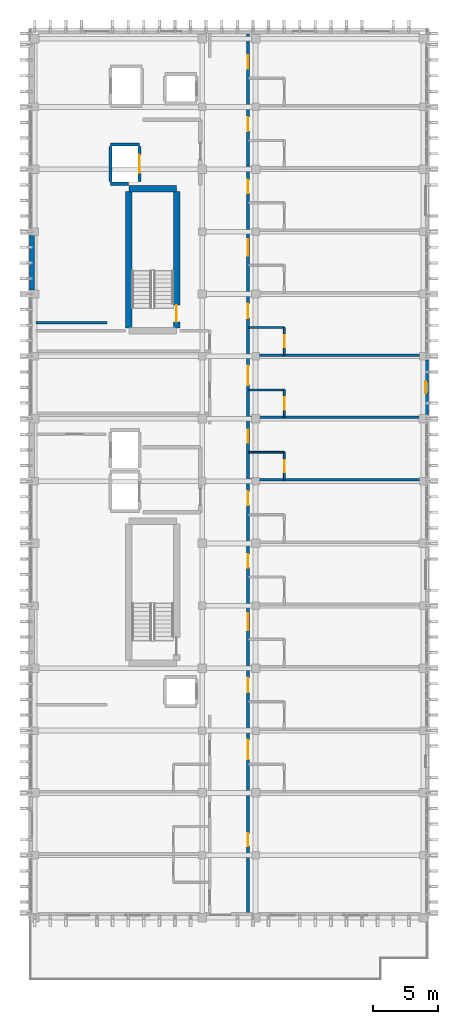
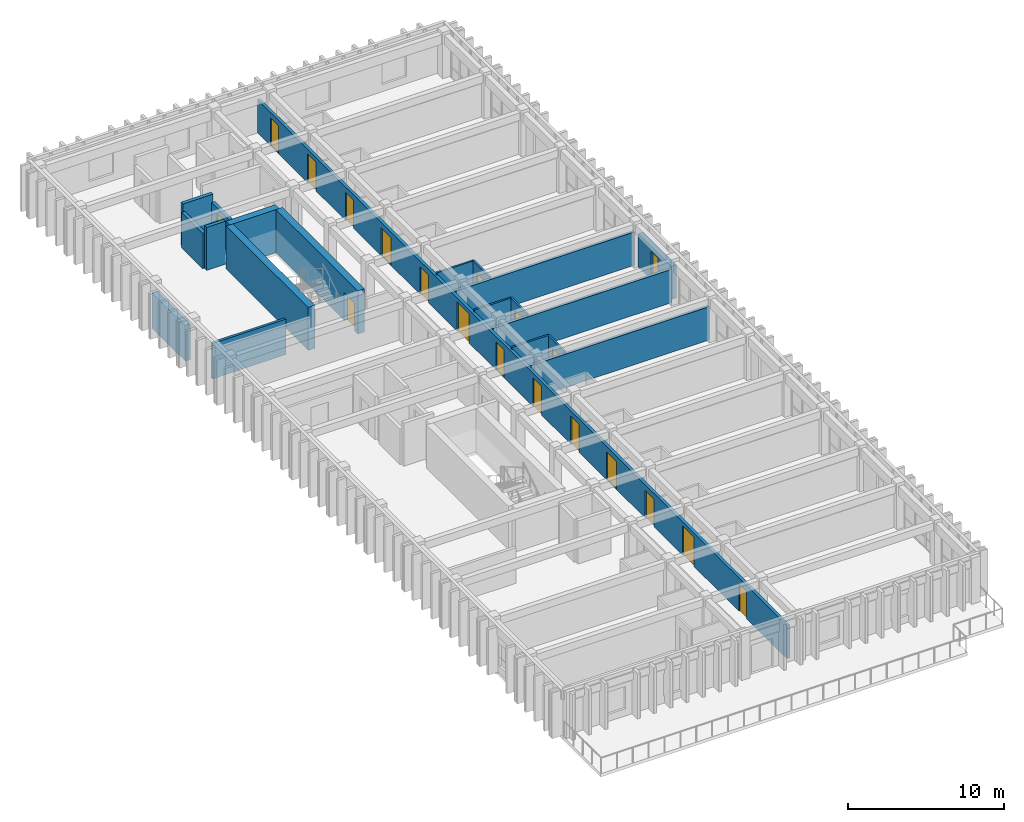
# One storey, part 42 of 49: 20 walls, 18 doors, 1 window, 19 openings.
"""IFC4 building model written with IfcOpenShell, lengths in metres."""

from ifc_helpers import new_model, si_unit, direction, frame, frame_2d, origin, place, context, subcontext, project, spatial, rectangle, extrude, material, layer, layer_set, type_object, element, fill, save


model = new_model("IFC4")

# Units and contexts
model_context = context("Model", 3, precision=1e-05, world=origin(), true_north=direction((0.0, 1.0)))
body_context = subcontext(model_context, "Body", "Model", "MODEL_VIEW")
ifc_project = project(units=[si_unit("LENGTHUNIT", "METRE"), si_unit("AREAUNIT", "SQUARE_METRE"), si_unit("VOLUMEUNIT", "CUBIC_METRE"), si_unit("PLANEANGLEUNIT", "RADIAN"), si_unit("MASSUNIT", "GRAM", prefix="KILO")], contexts=[model_context])

# Site, building, storey
site_placement = place(None, origin())
site = spatial("IfcSite", under=ifc_project, at=site_placement, CompositionType="ELEMENT")
building_placement = place(site_placement, origin())
building = spatial("IfcBuilding", under=site, at=building_placement, Name="Nakhvara Creek Congress Hotel", CompositionType="ELEMENT")
storey_placement = place(building_placement, frame((0.0, 0.0, 39.0)))
storey = spatial("IfcBuildingStorey", under=building, at=storey_placement, Name="L09", CompositionType="ELEMENT", Elevation=39.0)

# Walls
ifc_material_1 = material(Name="Concrete C50/60", Category="concrete")
ifc_layer_1 = layer(ifc_material_1, 0.5)
ifc_layer_set_1 = layer_set([ifc_layer_1], Name="Concrete C50/60")
wall_type_1 = type_object("IfcWallType", Name="W-CORE-500", PredefinedType="SHEAR", material=ifc_layer_set_1)
wall_1_placement = place(storey_placement, frame((156.699951171875, 113.719970703125, 0.0), z_axis=(0.0, 0.0, 1.0), x_axis=(1.0, 0.0, 0.0)))
element("IfcWall", 1, at=wall_1_placement, inside=storey, type_object=wall_type_1, Name="Core Shear Wall WS01-CWALL-L09-0467", PredefinedType="SHEAR", context=body_context, shape_type="SweptSolid", body=[
    extrude(rectangle(XDim=3.670166015625, YDim=0.5, at=frame_2d((1.8349609375, 0.0))), origin(), (0.0, 0.0, 1.0), 3.360107421875),
])
wall_2_placement = place(storey_placement, frame((156.699951171875, 103.0, 0.0), z_axis=(0.0, 0.0, 1.0), x_axis=(0.0, 1.0, 0.0)))
element("IfcWall", 2, at=wall_2_placement, inside=storey, type_object=wall_type_1, Name="Core Shear Wall WS01-CWALL-L09-0468", PredefinedType="SHEAR", context=body_context, shape_type="SweptSolid", body=[
    extrude(rectangle(XDim=10.5, YDim=0.5, at=frame_2d((5.25, 0.0))), origin(), (0.0, 0.0, 1.0), 3.360107421875),
])

# Wall, opening, door
wall_3_placement = place(storey_placement, frame((160.3701171875, 103.0, 0.0), z_axis=(0.0, 0.0, 1.0), x_axis=(0.0, 1.0, 0.0)))
wall_3 = element("IfcWall", 3, at=wall_3_placement, inside=storey, type_object=wall_type_1, Name="Core Shear Wall WS01-CWALL-L09-0469", PredefinedType="SHEAR", context=body_context, shape_type="SweptSolid", body=[
    extrude(rectangle(XDim=10.5, YDim=0.5, at=frame_2d((5.25, 0.0))), origin(), (0.0, 0.0, 1.0), 3.360107421875),
])
opening_1_placement = place(wall_3_placement, frame((0.449951171875, 0.0, 0.0)))
opening_1 = element("IfcOpeningElement", 4, at=opening_1_placement, cuts=wall_3, Name="Opening FD04", PredefinedType="OPENING", context=body_context, shape_type="SweptSolid", body=[
    extrude(rectangle(XDim=1.300048828125, YDim=2.14990234375, at=frame_2d((0.64990234375, 1.074951171875))), frame((0.0, 0.261962890625, 0.0), z_axis=(0.0, -1.0, 0.0), x_axis=(1.0, 0.0, 0.0)), (0.0, 0.0, 1.0), 0.52392578125),
])
ifc_material_2 = material(Name="Powder-coated steel fire door", Category="steel")
door_type_1 = type_object("IfcDoorType", Name="DT-STAIR-130", OperationType="NOTDEFINED", PredefinedType="DOOR", material=ifc_material_2)
door_1_placement = place(opening_1_placement, frame((1.300048828125, 0.0, 0.0), z_axis=(0.0, 0.0, 1.0), x_axis=(-1.0, 0.0, 0.0)))
door_1 = element("IfcDoor", 5, at=door_1_placement, inside=storey, type_object=door_type_1, Name="Stair Exit Door ST02-L09", OperationType="SINGLE_SWING_LEFT", OverallHeight=2.14990234375, OverallWidth=1.300048828125, PredefinedType="DOOR", context=body_context, shape_type="SweptSolid", body=[
    extrude(rectangle(XDim=1.300048828125, YDim=2.14990234375, at=frame_2d((0.64990234375, 1.074951171875))), frame((0.0, 0.02490234375, 0.0), z_axis=(0.0, -1.0, 0.0), x_axis=(1.0, 0.0, 0.0)), (0.0, 0.0, 1.0), 0.050048828125),
])
fill(opening_1, door_1)

# Wall, openings, doors
ifc_material_3 = material(Name="Gypsum acoustic board on steel stud", Category="steel")
ifc_layer_2 = layer(ifc_material_3, 0.219970703125)
ifc_layer_set_2 = layer_set([ifc_layer_2], Name="Gypsum acoustic board on steel stud")
wall_type_2 = type_object("IfcWallType", Name="W-CORR-220", PredefinedType="PARTITIONING", material=ifc_layer_set_2)
wall_4_placement = place(storey_placement, frame((165.8798828125, 57.949951171875, 0.0), z_axis=(0.0, 0.0, 1.0), x_axis=(0.0, 1.0, 0.0)))
wall_4 = element("IfcWall", 6, at=wall_4_placement, inside=storey, type_object=wall_type_2, Name="Interior Wall WP11-IW-L09-0649", PredefinedType="PARTITIONING", context=body_context, shape_type="SweptSolid", body=[
    extrude(rectangle(XDim=67.699951171875, YDim=0.219970703125, at=frame_2d((33.85009765625, 0.0))), origin(), (0.0, 0.0, 1.0), 2.60205078125),
])
opening_2_placement = place(wall_4_placement, frame((5.14990234375, 0.0, 0.0)))
opening_2 = element("IfcOpeningElement", 7, at=opening_2_placement, cuts=wall_4, Name="Opening MD03", PredefinedType="OPENING", context=body_context, shape_type="SweptSolid", body=[
    extrude(rectangle(XDim=0.97998046875, YDim=2.14990234375, at=frame_2d((0.489990234375, 1.074951171875))), frame((0.0, 0.1220703125, 0.0), z_axis=(0.0, -1.0, 0.0), x_axis=(1.0, 0.0, 0.0)), (0.0, 0.0, 1.0), 0.243896484375),
])
opening_3_placement = place(wall_4_placement, frame((11.837890625, 0.0, 0.0)))
opening_3 = element("IfcOpeningElement", 8, at=opening_3_placement, cuts=wall_4, Name="Opening GD03", PredefinedType="OPENING", context=body_context, shape_type="SweptSolid", body=[
    extrude(rectangle(XDim=1.5, YDim=2.300048828125, at=frame_2d((0.75, 1.14990234375))), frame((0.0, 0.1220703125, 0.0), z_axis=(0.0, -1.0, 0.0), x_axis=(1.0, 0.0, 0.0)), (0.0, 0.0, 1.0), 0.243896484375),
])
opening_4_placement = place(wall_4_placement, frame((16.988037109375, 0.0, 0.0)))
opening_4 = element("IfcOpeningElement", 9, at=opening_4_placement, cuts=wall_4, Name="Opening BD01", PredefinedType="OPENING", context=body_context, shape_type="SweptSolid", body=[
    extrude(rectangle(XDim=1.1201171875, YDim=2.14990234375, at=frame_2d((0.56005859375, 1.074951171875))), frame((0.0, 0.1220703125, 0.0), z_axis=(0.0, -1.0, 0.0), x_axis=(1.0, 0.0, 0.0)), (0.0, 0.0, 1.0), 0.243896484375),
])
opening_5_placement = place(wall_4_placement, frame((21.7880859375, 0.0, 0.0)))
opening_5 = element("IfcOpeningElement", 10, at=opening_5_placement, cuts=wall_4, Name="Opening ID07", PredefinedType="OPENING", context=body_context, shape_type="SweptSolid", body=[
    extrude(rectangle(XDim=1.280029296875, YDim=2.159912109375, at=frame_2d((0.64013671875, 1.080078125))), frame((0.0, 0.1220703125, 0.0), z_axis=(0.0, -1.0, 0.0), x_axis=(1.0, 0.0, 0.0)), (0.0, 0.0, 1.0), 0.243896484375),
])
opening_6_placement = place(wall_4_placement, frame((26.587890625, 0.0, 0.0)))
opening_6 = element("IfcOpeningElement", 11, at=opening_6_placement, cuts=wall_4, Name="Opening ID04", PredefinedType="OPENING", context=body_context, shape_type="SweptSolid", body=[
    extrude(rectangle(XDim=1.050048828125, YDim=2.179931640625, at=frame_2d((0.52490234375, 1.08984375))), frame((0.0, 0.1220703125, 0.0), z_axis=(0.0, -1.0, 0.0), x_axis=(1.0, 0.0, 0.0)), (0.0, 0.0, 1.0), 0.243896484375),
])
opening_7_placement = place(wall_4_placement, frame((31.387939453125, 0.0, 0.0)))
opening_7 = element("IfcOpeningElement", 12, at=opening_7_placement, cuts=wall_4, Name="Opening GD02", PredefinedType="OPENING", context=body_context, shape_type="SweptSolid", body=[
    extrude(rectangle(XDim=1.080078125, YDim=2.25, at=frame_2d((0.5400390625, 1.125))), frame((0.0, 0.1220703125, 0.0), z_axis=(0.0, -1.0, 0.0), x_axis=(1.0, 0.0, 0.0)), (0.0, 0.0, 1.0), 0.243896484375),
])
opening_8_placement = place(wall_4_placement, frame((36.18798828125, 0.0, 0.0)))
opening_8 = element("IfcOpeningElement", 13, at=opening_8_placement, cuts=wall_4, Name="Opening GD01", PredefinedType="OPENING", context=body_context, shape_type="SweptSolid", body=[
    extrude(rectangle(XDim=1.02001953125, YDim=2.199951171875, at=frame_2d((0.510009765625, 1.10009765625))), frame((0.0, 0.1220703125, 0.0), z_axis=(0.0, -1.0, 0.0), x_axis=(1.0, 0.0, 0.0)), (0.0, 0.0, 1.0), 0.243896484375),
])
opening_9_placement = place(wall_4_placement, frame((40.637939453125, 0.0, 0.0)))
opening_9 = element("IfcOpeningElement", 14, at=opening_9_placement, cuts=wall_4, Name="Opening GD03", PredefinedType="OPENING", context=body_context, shape_type="SweptSolid", body=[
    extrude(rectangle(XDim=1.5, YDim=2.300048828125, at=frame_2d((0.75, 1.14990234375))), frame((0.0, 0.1220703125, 0.0), z_axis=(0.0, -1.0, 0.0), x_axis=(1.0, 0.0, 0.0)), (0.0, 0.0, 1.0), 0.243896484375),
])
opening_10_placement = place(wall_4_placement, frame((45.7880859375, 0.0, 0.0)))
opening_10 = element("IfcOpeningElement", 15, at=opening_10_placement, cuts=wall_4, Name="Opening BD01", PredefinedType="OPENING", context=body_context, shape_type="SweptSolid", body=[
    extrude(rectangle(XDim=1.1201171875, YDim=2.14990234375, at=frame_2d((0.56005859375, 1.074951171875))), frame((0.0, 0.1220703125, 0.0), z_axis=(0.0, -1.0, 0.0), x_axis=(1.0, 0.0, 0.0)), (0.0, 0.0, 1.0), 0.243896484375),
])
opening_11_placement = place(wall_4_placement, frame((50.587890625, 0.0, 0.0)))
opening_11 = element("IfcOpeningElement", 16, at=opening_11_placement, cuts=wall_4, Name="Opening ID07", PredefinedType="OPENING", context=body_context, shape_type="SweptSolid", body=[
    extrude(rectangle(XDim=1.280029296875, YDim=2.159912109375, at=frame_2d((0.64013671875, 1.080078125))), frame((0.0, 0.1220703125, 0.0), z_axis=(0.0, -1.0, 0.0), x_axis=(1.0, 0.0, 0.0)), (0.0, 0.0, 1.0), 0.243896484375),
])
opening_12_placement = place(wall_4_placement, frame((55.387939453125, 0.0, 0.0)))
opening_12 = element("IfcOpeningElement", 17, at=opening_12_placement, cuts=wall_4, Name="Opening ID04", PredefinedType="OPENING", context=body_context, shape_type="SweptSolid", body=[
    extrude(rectangle(XDim=1.050048828125, YDim=2.179931640625, at=frame_2d((0.52490234375, 1.08984375))), frame((0.0, 0.1220703125, 0.0), z_axis=(0.0, -1.0, 0.0), x_axis=(1.0, 0.0, 0.0)), (0.0, 0.0, 1.0), 0.243896484375),
])
opening_13_placement = place(wall_4_placement, frame((60.18798828125, 0.0, 0.0)))
opening_13 = element("IfcOpeningElement", 18, at=opening_13_placement, cuts=wall_4, Name="Opening GD02", PredefinedType="OPENING", context=body_context, shape_type="SweptSolid", body=[
    extrude(rectangle(XDim=1.080078125, YDim=2.25, at=frame_2d((0.5400390625, 1.125))), frame((0.0, 0.1220703125, 0.0), z_axis=(0.0, -1.0, 0.0), x_axis=(1.0, 0.0, 0.0)), (0.0, 0.0, 1.0), 0.243896484375),
])
opening_14_placement = place(wall_4_placement, frame((64.988037109375, 0.0, 0.0)))
opening_14 = element("IfcOpeningElement", 19, at=opening_14_placement, cuts=wall_4, Name="Opening GD01", PredefinedType="OPENING", context=body_context, shape_type="SweptSolid", body=[
    extrude(rectangle(XDim=1.02001953125, YDim=2.199951171875, at=frame_2d((0.510009765625, 1.10009765625))), frame((0.0, 0.1220703125, 0.0), z_axis=(0.0, -1.0, 0.0), x_axis=(1.0, 0.0, 0.0)), (0.0, 0.0, 1.0), 0.243896484375),
])
ifc_material_4 = material(Name="Brushed stainless-clad BOH door")
door_type_2 = type_object("IfcDoorType", Name="DT-BOH-128", OperationType="NOTDEFINED", PredefinedType="DOOR", material=ifc_material_4)
door_2_placement = place(opening_5_placement, origin())
door_2 = element("IfcDoor", 20, at=door_2_placement, inside=storey, type_object=door_type_2, Name="Interior Door ID07-0490", OperationType="SINGLE_SWING_LEFT", OverallHeight=2.159912109375, OverallWidth=1.280029296875, PredefinedType="DOOR", context=body_context, shape_type="SweptSolid", body=[
    extrude(rectangle(XDim=1.280029296875, YDim=2.159912109375, at=frame_2d((0.64013671875, 1.080078125))), frame((0.0, 0.02490234375, 0.0), z_axis=(0.0, -1.0, 0.0), x_axis=(1.0, 0.0, 0.0)), (0.0, 0.0, 1.0), 0.050048828125),
])
fill(opening_5, door_2)
door_3_placement = place(opening_11_placement, origin())
door_3 = element("IfcDoor", 21, at=door_3_placement, inside=storey, type_object=door_type_2, Name="Interior Door ID07-0502", OperationType="SINGLE_SWING_LEFT", OverallHeight=2.159912109375, OverallWidth=1.280029296875, PredefinedType="DOOR", context=body_context, shape_type="SweptSolid", body=[
    extrude(rectangle(XDim=1.280029296875, YDim=2.159912109375, at=frame_2d((0.64013671875, 1.080078125))), frame((0.0, 0.02490234375, 0.0), z_axis=(0.0, -1.0, 0.0), x_axis=(1.0, 0.0, 0.0)), (0.0, 0.0, 1.0), 0.050048828125),
])
fill(opening_11, door_3)
ifc_material_5 = material(Name="Walnut hardwood timber fire door", Category="wood")
door_type_3 = type_object("IfcDoorType", Name="DT-GUEST-102", OperationType="NOTDEFINED", PredefinedType="DOOR", material=ifc_material_5)
door_4_placement = place(opening_8_placement, origin())
door_4 = element("IfcDoor", 22, at=door_4_placement, inside=storey, type_object=door_type_3, Name="Interior Door GD01-0496", OperationType="SINGLE_SWING_LEFT", OverallHeight=2.199951171875, OverallWidth=1.02001953125, PredefinedType="DOOR", context=body_context, shape_type="SweptSolid", body=[
    extrude(rectangle(XDim=1.02001953125, YDim=2.199951171875, at=frame_2d((0.510009765625, 1.10009765625))), frame((0.0, 0.02490234375, 0.0), z_axis=(0.0, -1.0, 0.0), x_axis=(1.0, 0.0, 0.0)), (0.0, 0.0, 1.0), 0.050048828125),
])
fill(opening_8, door_4)
door_5_placement = place(opening_14_placement, origin())
door_5 = element("IfcDoor", 23, at=door_5_placement, inside=storey, type_object=door_type_3, Name="Interior Door GD01-0508", OperationType="SINGLE_SWING_LEFT", OverallHeight=2.199951171875, OverallWidth=1.02001953125, PredefinedType="DOOR", context=body_context, shape_type="SweptSolid", body=[
    extrude(rectangle(XDim=1.02001953125, YDim=2.199951171875, at=frame_2d((0.510009765625, 1.10009765625))), frame((0.0, 0.02490234375, 0.0), z_axis=(0.0, -1.0, 0.0), x_axis=(1.0, 0.0, 0.0)), (0.0, 0.0, 1.0), 0.050048828125),
])
fill(opening_14, door_5)
door_type_4 = type_object("IfcDoorType", Name="DT-GUEST-108", OperationType="NOTDEFINED", PredefinedType="DOOR", material=ifc_material_5)
door_6_placement = place(opening_7_placement, origin())
door_6 = element("IfcDoor", 24, at=door_6_placement, inside=storey, type_object=door_type_4, Name="Interior Door GD02-0494", OperationType="SINGLE_SWING_LEFT", OverallHeight=2.25, OverallWidth=1.080078125, PredefinedType="DOOR", context=body_context, shape_type="SweptSolid", body=[
    extrude(rectangle(XDim=1.080078125, YDim=2.25, at=frame_2d((0.5400390625, 1.125))), frame((0.0, 0.02490234375, 0.0), z_axis=(0.0, -1.0, 0.0), x_axis=(1.0, 0.0, 0.0)), (0.0, 0.0, 1.0), 0.050048828125),
])
fill(opening_7, door_6)
door_7_placement = place(opening_13_placement, origin())
door_7 = element("IfcDoor", 25, at=door_7_placement, inside=storey, type_object=door_type_4, Name="Interior Door GD02-0506", OperationType="SINGLE_SWING_LEFT", OverallHeight=2.25, OverallWidth=1.080078125, PredefinedType="DOOR", context=body_context, shape_type="SweptSolid", body=[
    extrude(rectangle(XDim=1.080078125, YDim=2.25, at=frame_2d((0.5400390625, 1.125))), frame((0.0, 0.02490234375, 0.0), z_axis=(0.0, -1.0, 0.0), x_axis=(1.0, 0.0, 0.0)), (0.0, 0.0, 1.0), 0.050048828125),
])
fill(opening_13, door_7)
ifc_material_6 = material(Name="Hardwood-faced service fire door", Category="wood")
door_type_5 = type_object("IfcDoorType", Name="DT-HK-112", OperationType="NOTDEFINED", PredefinedType="DOOR", material=ifc_material_6)
door_8_placement = place(opening_4_placement, origin())
door_8 = element("IfcDoor", 26, at=door_8_placement, inside=storey, type_object=door_type_5, Name="Interior Door BD01-0488", OperationType="SINGLE_SWING_LEFT", OverallHeight=2.14990234375, OverallWidth=1.1201171875, PredefinedType="DOOR", context=body_context, shape_type="SweptSolid", body=[
    extrude(rectangle(XDim=1.1201171875, YDim=2.14990234375, at=frame_2d((0.56005859375, 1.074951171875))), frame((0.0, 0.02490234375, 0.0), z_axis=(0.0, -1.0, 0.0), x_axis=(1.0, 0.0, 0.0)), (0.0, 0.0, 1.0), 0.050048828125),
])
fill(opening_4, door_8)
door_9_placement = place(opening_10_placement, origin())
door_9 = element("IfcDoor", 27, at=door_9_placement, inside=storey, type_object=door_type_5, Name="Interior Door BD01-0500", OperationType="SINGLE_SWING_LEFT", OverallHeight=2.14990234375, OverallWidth=1.1201171875, PredefinedType="DOOR", context=body_context, shape_type="SweptSolid", body=[
    extrude(rectangle(XDim=1.1201171875, YDim=2.14990234375, at=frame_2d((0.56005859375, 1.074951171875))), frame((0.0, 0.02490234375, 0.0), z_axis=(0.0, -1.0, 0.0), x_axis=(1.0, 0.0, 0.0)), (0.0, 0.0, 1.0), 0.050048828125),
])
fill(opening_10, door_9)
ifc_material_7 = material(Name="Acoustic ISO 2603 sound-lock timber door", Category="wood")
door_type_6 = type_object("IfcDoorType", Name="DT-ISO-098", OperationType="NOTDEFINED", PredefinedType="DOOR", material=ifc_material_7)
door_10_placement = place(opening_2_placement, origin())
door_10 = element("IfcDoor", 28, at=door_10_placement, inside=storey, type_object=door_type_6, Name="Interior Door MD03-0476", OperationType="SINGLE_SWING_LEFT", OverallHeight=2.14990234375, OverallWidth=0.97998046875, PredefinedType="DOOR", context=body_context, shape_type="SweptSolid", body=[
    extrude(rectangle(XDim=0.97998046875, YDim=2.14990234375, at=frame_2d((0.489990234375, 1.074951171875))), frame((0.0, 0.02490234375, 0.0), z_axis=(0.0, -1.0, 0.0), x_axis=(1.0, 0.0, 0.0)), (0.0, 0.0, 1.0), 0.050048828125),
])
fill(opening_2, door_10)
ifc_material_8 = material(Name="Teak timber & frosted glass spa door", Category="wood")
door_type_7 = type_object("IfcDoorType", Name="DT-SPA-105", OperationType="NOTDEFINED", PredefinedType="DOOR", material=ifc_material_8)
door_11_placement = place(opening_6_placement, origin())
door_11 = element("IfcDoor", 29, at=door_11_placement, inside=storey, type_object=door_type_7, Name="Interior Door ID04-0492", OperationType="SINGLE_SWING_LEFT", OverallHeight=2.179931640625, OverallWidth=1.050048828125, PredefinedType="DOOR", context=body_context, shape_type="SweptSolid", body=[
    extrude(rectangle(XDim=1.050048828125, YDim=2.179931640625, at=frame_2d((0.52490234375, 1.08984375))), frame((0.0, 0.02490234375, 0.0), z_axis=(0.0, -1.0, 0.0), x_axis=(1.0, 0.0, 0.0)), (0.0, 0.0, 1.0), 0.050048828125),
])
fill(opening_6, door_11)
door_12_placement = place(opening_12_placement, origin())
door_12 = element("IfcDoor", 30, at=door_12_placement, inside=storey, type_object=door_type_7, Name="Interior Door ID04-0504", OperationType="SINGLE_SWING_LEFT", OverallHeight=2.179931640625, OverallWidth=1.050048828125, PredefinedType="DOOR", context=body_context, shape_type="SweptSolid", body=[
    extrude(rectangle(XDim=1.050048828125, YDim=2.179931640625, at=frame_2d((0.52490234375, 1.08984375))), frame((0.0, 0.02490234375, 0.0), z_axis=(0.0, -1.0, 0.0), x_axis=(1.0, 0.0, 0.0)), (0.0, 0.0, 1.0), 0.050048828125),
])
fill(opening_12, door_12)
ifc_material_9 = material(Name="Walnut hardwood double fire door", Category="wood")
door_type_8 = type_object("IfcDoorType", Name="DT-SUITE-150", OperationType="DOUBLE_DOOR_SINGLE_SWING", PredefinedType="DOOR", material=ifc_material_9)
door_13_placement = place(opening_3_placement, origin())
door_13 = element("IfcDoor", 31, at=door_13_placement, inside=storey, type_object=door_type_8, Name="Interior Door GD03-0486", OperationType="DOUBLE_DOOR_SINGLE_SWING", OverallHeight=2.300048828125, OverallWidth=1.5, PredefinedType="DOOR", context=body_context, shape_type="SweptSolid", body=[
    extrude(rectangle(XDim=1.5, YDim=2.300048828125, at=frame_2d((0.75, 1.14990234375))), frame((0.0, 0.02490234375, 0.0), z_axis=(0.0, -1.0, 0.0), x_axis=(1.0, 0.0, 0.0)), (0.0, 0.0, 1.0), 0.050048828125),
])
fill(opening_3, door_13)
door_14_placement = place(opening_9_placement, origin())
door_14 = element("IfcDoor", 32, at=door_14_placement, inside=storey, type_object=door_type_8, Name="Interior Door GD03-0498", OperationType="DOUBLE_DOOR_SINGLE_SWING", OverallHeight=2.300048828125, OverallWidth=1.5, PredefinedType="DOOR", context=body_context, shape_type="SweptSolid", body=[
    extrude(rectangle(XDim=1.5, YDim=2.300048828125, at=frame_2d((0.75, 1.14990234375))), frame((0.0, 0.02490234375, 0.0), z_axis=(0.0, -1.0, 0.0), x_axis=(1.0, 0.0, 0.0)), (0.0, 0.0, 1.0), 0.050048828125),
])
fill(opening_9, door_14)

# Wall, opening, door
ifc_material_10 = material(Name="Moisture-resistant gypsum board partition")
ifc_layer_3 = layer(ifc_material_10, 0.139892578125)
ifc_layer_set_3 = layer_set([ifc_layer_3], Name="Moisture-resistant gypsum board partition")
wall_type_3 = type_object("IfcWallType", Name="W-ENS-140", PredefinedType="PARTITIONING", material=ifc_layer_set_3)
wall_5_placement = place(storey_placement, frame((168.669921875, 91.300048828125, 0.0), z_axis=(0.0, 0.0, 1.0), x_axis=(0.0, 1.0, 0.0)))
wall_5 = element("IfcWall", 33, at=wall_5_placement, inside=storey, type_object=wall_type_3, Name="Interior Wall WP15-IW-L09-0681", PredefinedType="PARTITIONING", context=body_context, shape_type="SweptSolid", body=[
    extrude(rectangle(XDim=2.115966796875, YDim=0.139892578125, at=frame_2d((1.05810546875, 0.0))), origin(), (0.0, 0.0, 1.0), 2.77197265625),
])
opening_15_placement = place(wall_5_placement, frame((0.5830078125, 0.0, 0.0)))
opening_15 = element("IfcOpeningElement", 34, at=opening_15_placement, cuts=wall_5, Name="Opening ID01", PredefinedType="OPENING", context=body_context, shape_type="SweptSolid", body=[
    extrude(rectangle(XDim=0.919921875, YDim=2.10009765625, at=frame_2d((0.4599609375, 1.050048828125))), frame((0.0, 0.08203125, 0.0), z_axis=(0.0, -1.0, 0.0), x_axis=(1.0, 0.0, 0.0)), (0.0, 0.0, 1.0), 0.163818359375),
])
ifc_material_11 = material(Name="Moisture-resistant walnut timber door", Category="wood")
door_type_9 = type_object("IfcDoorType", Name="DT-ENS-092", OperationType="NOTDEFINED", PredefinedType="DOOR", material=ifc_material_11)
door_15_placement = place(opening_15_placement, frame((0.919921875, 0.0, 0.0), z_axis=(0.0, 0.0, 1.0), x_axis=(-1.0, 0.0, 0.0)))
door_15 = element("IfcDoor", 35, at=door_15_placement, inside=storey, type_object=door_type_9, Name="Interior Door ID01-0497", OperationType="SINGLE_SWING_RIGHT", OverallHeight=2.10009765625, OverallWidth=0.919921875, PredefinedType="DOOR", context=body_context, shape_type="SweptSolid", body=[
    extrude(rectangle(XDim=0.919921875, YDim=2.10009765625, at=frame_2d((0.4599609375, 1.050048828125))), frame((0.0, 0.02490234375, 0.0), z_axis=(0.0, -1.0, 0.0), x_axis=(1.0, 0.0, 0.0)), (0.0, 0.0, 1.0), 0.050048828125),
])
fill(opening_15, door_15)

# Wall
wall_6_placement = place(storey_placement, frame((165.919921875, 93.416015625, 0.0), z_axis=(0.0, 0.0, 1.0), x_axis=(1.0, 0.0, 0.0)))
element("IfcWall", 36, at=wall_6_placement, inside=storey, type_object=wall_type_3, Name="Interior Wall WP15-IW-L09-0682", PredefinedType="PARTITIONING", context=body_context, shape_type="SweptSolid", body=[
    extrude(rectangle(XDim=2.75, YDim=0.139892578125, at=frame_2d((1.375, 0.0))), origin(), (0.0, 0.0, 1.0), 2.77197265625),
])

# Wall, opening, door
wall_7_placement = place(storey_placement, frame((168.669921875, 96.10009765625, 0.0), z_axis=(0.0, 0.0, 1.0), x_axis=(0.0, 1.0, 0.0)))
wall_7 = element("IfcWall", 37, at=wall_7_placement, inside=storey, type_object=wall_type_3, Name="Interior Wall WP15-IW-L09-0684", PredefinedType="PARTITIONING", context=body_context, shape_type="SweptSolid", body=[
    extrude(rectangle(XDim=2.115966796875, YDim=0.139892578125, at=frame_2d((1.05810546875, 0.0))), origin(), (0.0, 0.0, 1.0), 2.77197265625),
])
opening_16_placement = place(wall_7_placement, frame((0.5830078125, 0.0, 0.0)))
opening_16 = element("IfcOpeningElement", 38, at=opening_16_placement, cuts=wall_7, Name="Opening ID02", PredefinedType="OPENING", context=body_context, shape_type="SweptSolid", body=[
    extrude(rectangle(XDim=0.9599609375, YDim=2.1201171875, at=frame_2d((0.47998046875, 1.06005859375))), frame((0.0, 0.08203125, 0.0), z_axis=(0.0, -1.0, 0.0), x_axis=(1.0, 0.0, 0.0)), (0.0, 0.0, 1.0), 0.163818359375),
])
door_type_10 = type_object("IfcDoorType", Name="DT-ENS-096", OperationType="NOTDEFINED", PredefinedType="DOOR", material=ifc_material_11)
door_16_placement = place(opening_16_placement, frame((0.9599609375, 0.0, 0.0), z_axis=(0.0, 0.0, 1.0), x_axis=(-1.0, 0.0, 0.0)))
door_16 = element("IfcDoor", 39, at=door_16_placement, inside=storey, type_object=door_type_10, Name="Interior Door ID02-0499", OperationType="SINGLE_SWING_RIGHT", OverallHeight=2.1201171875, OverallWidth=0.9599609375, PredefinedType="DOOR", context=body_context, shape_type="SweptSolid", body=[
    extrude(rectangle(XDim=0.9599609375, YDim=2.1201171875, at=frame_2d((0.47998046875, 1.06005859375))), frame((0.0, 0.02490234375, 0.0), z_axis=(0.0, -1.0, 0.0), x_axis=(1.0, 0.0, 0.0)), (0.0, 0.0, 1.0), 0.050048828125),
])
fill(opening_16, door_16)

# Wall
wall_8_placement = place(storey_placement, frame((165.919921875, 98.216064453125, 0.0), z_axis=(0.0, 0.0, 1.0), x_axis=(1.0, 0.0, 0.0)))
element("IfcWall", 40, at=wall_8_placement, inside=storey, type_object=wall_type_3, Name="Interior Wall WP15-IW-L09-0685", PredefinedType="PARTITIONING", context=body_context, shape_type="SweptSolid", body=[
    extrude(rectangle(XDim=2.75, YDim=0.139892578125, at=frame_2d((1.375, 0.0))), origin(), (0.0, 0.0, 1.0), 2.77197265625),
])

# Wall, opening, door
wall_9_placement = place(storey_placement, frame((168.669921875, 100.89990234375, 0.0), z_axis=(0.0, 0.0, 1.0), x_axis=(0.0, 1.0, 0.0)))
wall_9 = element("IfcWall", 41, at=wall_9_placement, inside=storey, type_object=wall_type_3, Name="Interior Wall WP15-IW-L09-0687", PredefinedType="PARTITIONING", context=body_context, shape_type="SweptSolid", body=[
    extrude(rectangle(XDim=2.1162109375, YDim=0.139892578125, at=frame_2d((1.05810546875, 0.0))), origin(), (0.0, 0.0, 1.0), 2.77197265625),
])
opening_17_placement = place(wall_9_placement, frame((0.5830078125, 0.0, 0.0)))
opening_17 = element("IfcOpeningElement", 42, at=opening_17_placement, cuts=wall_9, Name="Opening ID02", PredefinedType="OPENING", context=body_context, shape_type="SweptSolid", body=[
    extrude(rectangle(XDim=0.9599609375, YDim=2.1201171875, at=frame_2d((0.47998046875, 1.06005859375))), frame((0.0, 0.08203125, 0.0), z_axis=(0.0, -1.0, 0.0), x_axis=(1.0, 0.0, 0.0)), (0.0, 0.0, 1.0), 0.163818359375),
])
door_17_placement = place(opening_17_placement, frame((0.9599609375, 0.0, 0.0), z_axis=(0.0, 0.0, 1.0), x_axis=(-1.0, 0.0, 0.0)))
door_17 = element("IfcDoor", 43, at=door_17_placement, inside=storey, type_object=door_type_10, Name="Interior Door ID02-0501", OperationType="SINGLE_SWING_RIGHT", OverallHeight=2.1201171875, OverallWidth=0.9599609375, PredefinedType="DOOR", context=body_context, shape_type="SweptSolid", body=[
    extrude(rectangle(XDim=0.9599609375, YDim=2.1201171875, at=frame_2d((0.47998046875, 1.06005859375))), frame((0.0, 0.02490234375, 0.0), z_axis=(0.0, -1.0, 0.0), x_axis=(1.0, 0.0, 0.0)), (0.0, 0.0, 1.0), 0.050048828125),
])
fill(opening_17, door_17)

# Wall
wall_10_placement = place(storey_placement, frame((165.919921875, 103.01611328125, 0.0), z_axis=(0.0, 0.0, 1.0), x_axis=(1.0, 0.0, 0.0)))
element("IfcWall", 44, at=wall_10_placement, inside=storey, type_object=wall_type_3, Name="Interior Wall WP15-IW-L09-0688", PredefinedType="PARTITIONING", context=body_context, shape_type="SweptSolid", body=[
    extrude(rectangle(XDim=2.75, YDim=0.139892578125, at=frame_2d((1.375, 0.0))), origin(), (0.0, 0.0, 1.0), 2.77197265625),
])

# Wall, opening, window
ifc_material_12 = material(Name="Honed pale Omani limestone cladding", Category="masonry")
ifc_layer_4 = layer(ifc_material_12, 0.050048828125)
ifc_material_13 = material(Name="Mineral wool thermal insulation")
ifc_layer_5 = layer(ifc_material_13, 0.110107421875)
ifc_material_14 = material(Name="Precast concrete C40/50", Category="concrete")
ifc_layer_6 = layer(ifc_material_14, 0.219970703125)
ifc_layer_set_4 = layer_set([ifc_layer_4, ifc_layer_5, ifc_layer_6], Name="Precast concrete C40/50")
wall_type_4 = type_object("IfcWallType", Name="W-EXT-380", PredefinedType="SOLIDWALL", material=ifc_layer_set_4)
wall_11_placement = place(storey_placement, frame((179.56005859375, 100.534912109375, 0.0), z_axis=(0.0, 0.0, 1.0), x_axis=(0.0, -1.0, 0.0)))
wall_11 = element("IfcWall", 45, at=wall_11_placement, inside=storey, type_object=wall_type_4, Name="Exterior Wall WE03-EW-L09-0207", PredefinedType="SOLIDWALL", context=body_context, shape_type="SweptSolid", body=[
    extrude(rectangle(XDim=4.23486328125, YDim=0.3798828125, at=frame_2d((2.117431640625, 0.0))), origin(), (0.0, 0.0, 1.0), 2.60205078125),
])
opening_18_placement = place(wall_11_placement, frame((1.66748046875, 0.0, 0.550048828125)))
opening_18 = element("IfcOpeningElement", 46, at=opening_18_placement, cuts=wall_11, Name="Opening WN0226", PredefinedType="OPENING", context=body_context, shape_type="SweptSolid", body=[
    extrude(rectangle(XDim=0.89990234375, YDim=1.679931640625, at=frame_2d((0.449951171875, 0.83984375))), frame((0.0, 0.201904296875, 0.0), z_axis=(0.0, -1.0, 0.0), x_axis=(1.0, 0.0, 0.0)), (0.0, 0.0, 1.0), 0.40380859375),
])
ifc_material_15 = material(Name="Thermally broken bronze-anodised aluminium and double-silver low-E insulated glass", Category="aluminium")
window_type = type_object("IfcWindowType", Name="WN-LAN-090X210", PartitioningType="SINGLE_PANEL", PredefinedType="WINDOW", material=ifc_material_15)
window_placement = place(opening_18_placement, origin())
window = element("IfcWindow", 47, at=window_placement, inside=storey, type_object=window_type, Name="Facade Window WN0226", OverallHeight=1.679931640625, OverallWidth=0.89990234375, PartitioningType="SINGLE_PANEL", PredefinedType="WINDOW", context=body_context, shape_type="SweptSolid", body=[
    extrude(rectangle(XDim=0.89990234375, YDim=1.679931640625, at=frame_2d((0.449951171875, 0.83984375))), frame((0.0, 0.030029296875, 0.0), z_axis=(0.0, -1.0, 0.0), x_axis=(1.0, 0.0, 0.0)), (0.0, 0.0, 1.0), 0.06005859375),
])
fill(opening_18, window)

# Walls
wall_12_placement = place(storey_placement, frame((149.239990234375, 105.89990234375, 0.0), z_axis=(0.0, 0.0, 1.0), x_axis=(0.0, 1.0, 0.0)))
element("IfcWall", 48, at=wall_12_placement, inside=storey, type_object=wall_type_4, Name="Exterior Wall WE03-EW-L09-0208", PredefinedType="SOLIDWALL", context=body_context, shape_type="SweptSolid", body=[
    extrude(rectangle(XDim=4.235107421875, YDim=0.3798828125, at=frame_2d((2.11767578125, 0.0))), origin(), (0.0, 0.0, 1.0), 2.77197265625),
])
ifc_layer_7 = layer(ifc_material_3, 0.179931640625)
ifc_layer_set_5 = layer_set([ifc_layer_7], Name="Gypsum acoustic board on steel stud")
wall_type_5 = type_object("IfcWallType", Name="W-MEET-180", PredefinedType="PARTITIONING", material=ifc_layer_set_5)
wall_13_placement = place(storey_placement, frame((149.550048828125, 103.39990234375, 0.0), z_axis=(0.0, 0.0, 1.0), x_axis=(1.0, 0.0, 0.0)))
element("IfcWall", 49, at=wall_13_placement, inside=storey, type_object=wall_type_5, Name="Interior Wall WP13-IW-L09-0656", PredefinedType="PARTITIONING", context=body_context, shape_type="SweptSolid", body=[
    extrude(rectangle(XDim=5.449951171875, YDim=0.179931640625, at=frame_2d((2.72509765625, 0.0))), origin(), (0.0, 0.0, 1.0), 2.77197265625),
])
ifc_layer_8 = layer(ifc_material_3, 0.199951171875)
ifc_layer_set_6 = layer_set([ifc_layer_8], Name="Gypsum acoustic board on steel stud")
wall_type_6 = type_object("IfcWallType", Name="W-PART-200", PredefinedType="PARTITIONING", material=ifc_layer_set_6)
for number, where, z_axis, x_axis, name in (
    (50, (166.02001953125, 91.300048828125, 0.0), (0.0, 0.0, 1.0), (1.0, 0.0, 0.0), "Interior Wall WP12-IW-L09-0680"),
    (51, (166.02001953125, 96.10009765625, 0.0), (0.0, 0.0, 1.0), (1.0, 0.0, 0.0), "Interior Wall WP12-IW-L09-0683"),
    (52, (166.02001953125, 100.89990234375, 0.0), (0.0, 0.0, 1.0), (1.0, 0.0, 0.0), "Interior Wall WP12-IW-L09-0686"),
):
    element("IfcWall", number, at=place(storey_placement, frame(where, z_axis=z_axis, x_axis=x_axis)), inside=storey, type_object=wall_type_6, Name=name, PredefinedType="PARTITIONING", context=body_context, shape_type="SweptSolid", body=[
        extrude(rectangle(XDim=13.22998046875, YDim=0.199951171875, at=frame_2d((6.614990234375, 0.0))), origin(), (0.0, 0.0, 1.0), 2.60205078125),
    ])
ifc_material_16 = material(Name="Concrete C40/50", Category="concrete")
ifc_layer_9 = layer(ifc_material_16, 0.25)
ifc_layer_set_7 = layer_set([ifc_layer_9], Name="Concrete C40/50")
wall_type_7 = type_object("IfcWallType", Name="W-SHAFT-250", PredefinedType="SOLIDWALL", material=ifc_layer_set_7)
wall_14_placement = place(storey_placement, frame((155.2900390625, 114.090087890625, 0.0), z_axis=(0.0, 0.0, 1.0), x_axis=(1.0, 0.0, 0.0)))
element("IfcWall", 53, at=wall_14_placement, inside=storey, type_object=wall_type_7, Name="Core Shear Wall WI02-CWALL-L09-0470", PredefinedType="SOLIDWALL", context=body_context, shape_type="SweptSolid", body=[
    extrude(rectangle(XDim=1.39990234375, YDim=0.25, at=frame_2d((0.699951171875, 0.0))), origin(), (0.0, 0.0, 1.0), 3.360107421875),
])
wall_15_placement = place(storey_placement, frame((155.2900390625, 117.110107421875, 0.0), z_axis=(0.0, 0.0, 1.0), x_axis=(1.0, 0.0, 0.0)))
element("IfcWall", 54, at=wall_15_placement, inside=storey, type_object=wall_type_7, Name="Core Shear Wall WI02-CWALL-L09-0471", PredefinedType="SOLIDWALL", context=body_context, shape_type="SweptSolid", body=[
    extrude(rectangle(XDim=2.219970703125, YDim=0.25, at=frame_2d((1.10986328125, 0.0))), origin(), (0.0, 0.0, 1.0), 3.360107421875),
])
wall_16_placement = place(storey_placement, frame((155.2900390625, 114.25, 0.0), z_axis=(0.0, 0.0, 1.0), x_axis=(0.0, 1.0, 0.0)))
element("IfcWall", 55, at=wall_16_placement, inside=storey, type_object=wall_type_7, Name="Core Shear Wall WI02-CWALL-L09-0472", PredefinedType="SOLIDWALL", context=body_context, shape_type="SweptSolid", body=[
    extrude(rectangle(XDim=2.699951171875, YDim=0.25, at=frame_2d((1.35009765625, 0.0))), origin(), (0.0, 0.0, 1.0), 2.77197265625),
])

# Wall, opening, door
wall_17_placement = place(storey_placement, frame((157.510009765625, 114.25, 0.0), z_axis=(0.0, 0.0, 1.0), x_axis=(0.0, 1.0, 0.0)))
wall_17 = element("IfcWall", 56, at=wall_17_placement, inside=storey, type_object=wall_type_7, Name="Core Shear Wall WI02-CWALL-L09-0473", PredefinedType="SOLIDWALL", context=body_context, shape_type="SweptSolid", body=[
    extrude(rectangle(XDim=2.699951171875, YDim=0.25, at=frame_2d((1.35009765625, 0.0))), origin(), (0.0, 0.0, 1.0), 2.77197265625),
])
opening_19_placement = place(wall_17_placement, frame((0.64990234375, 0.0, 0.0)))
opening_19 = element("IfcOpeningElement", 57, at=opening_19_placement, cuts=wall_17, Name="Opening LD02", PredefinedType="OPENING", context=body_context, shape_type="SweptSolid", body=[
    extrude(rectangle(XDim=1.39990234375, YDim=2.300048828125, at=frame_2d((0.699951171875, 1.14990234375))), frame((0.0, 0.136962890625, 0.0), z_axis=(0.0, -1.0, 0.0), x_axis=(1.0, 0.0, 0.0)), (0.0, 0.0, 1.0), 0.27392578125),
])
ifc_material_17 = material(Name="Brushed stainless steel heavy goods landing door", Category="steel")
door_type_11 = type_object("IfcDoorType", Name="DT-LIFT-140", OperationType="DOUBLE_DOOR_SLIDING", PredefinedType="DOOR", material=ifc_material_17)
door_18_placement = place(opening_19_placement, origin())
door_18 = element("IfcDoor", 58, at=door_18_placement, inside=storey, type_object=door_type_11, Name="Landing Door FFL2-L09", OperationType="SLIDING_TO_LEFT", OverallHeight=2.300048828125, OverallWidth=1.39990234375, PredefinedType="DOOR", context=body_context, shape_type="SweptSolid", body=[
    extrude(rectangle(XDim=1.39990234375, YDim=2.300048828125, at=frame_2d((0.699951171875, 1.14990234375))), frame((0.0, 0.02490234375, 0.0), z_axis=(0.0, -1.0, 0.0), x_axis=(1.0, 0.0, 0.0)), (0.0, 0.0, 1.0), 0.050048828125),
])
fill(opening_19, door_18)

save(model, "model.ifc")
